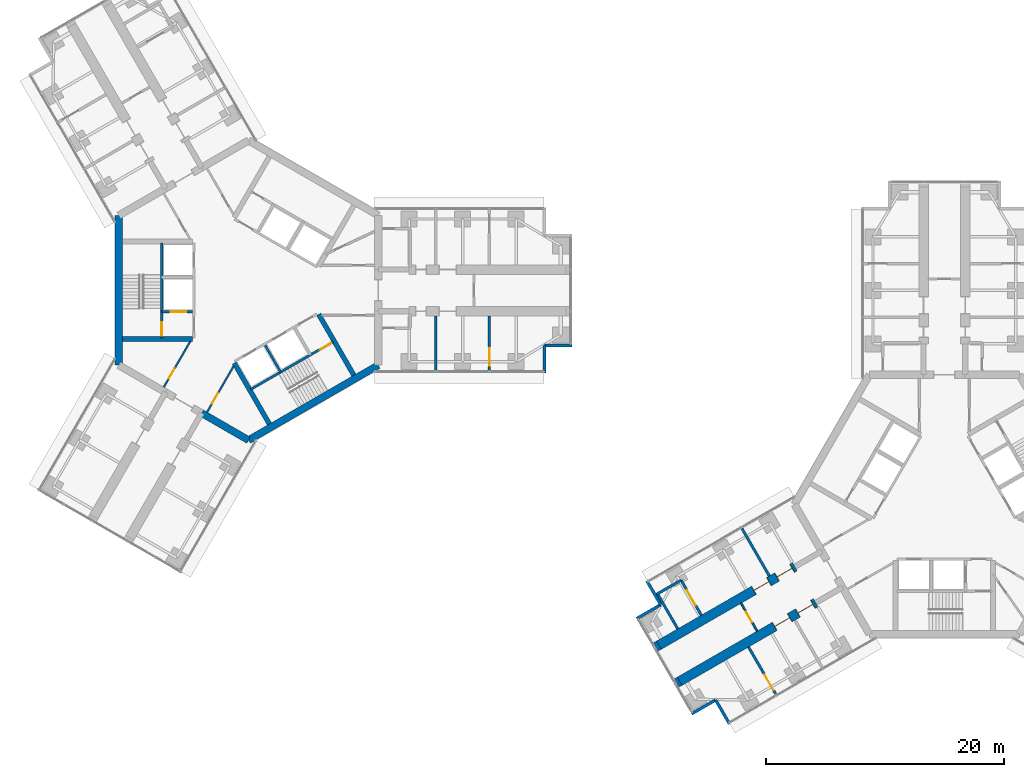
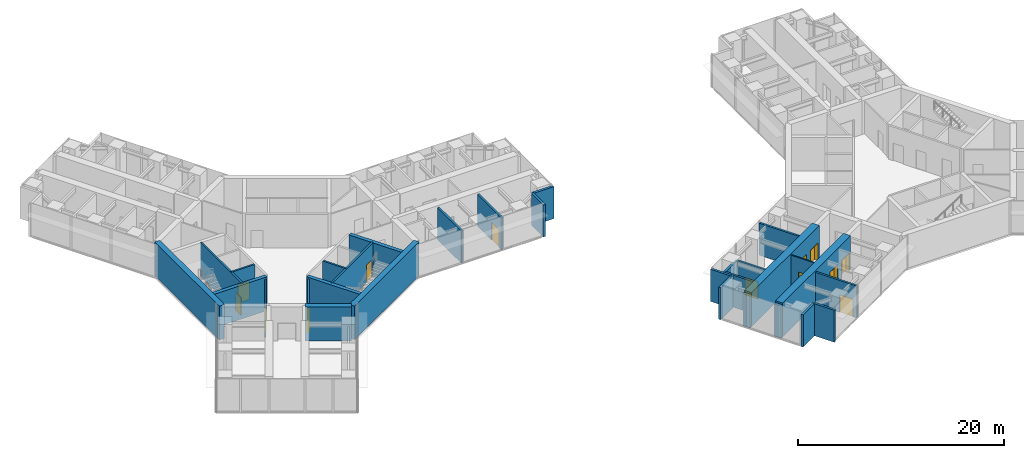
# One storey, part 15 of 21: 30 walls, 13 doors, 13 openings.
"""IFC4 building model written with IfcOpenShell, lengths in metres."""

from ifc_helpers import new_model, si_unit, direction, frame, frame_2d, origin, place, context, subcontext, project, spatial, rectangle, extrude, material, layer, layer_set, type_object, element, fill, save


model = new_model("IFC4")

# Units and contexts
model_context = context("Model", 3, precision=1e-05, world=origin(), true_north=direction((0.0, 1.0)))
body_context = subcontext(model_context, "Body", "Model", "MODEL_VIEW")
ifc_project = project(units=[si_unit("LENGTHUNIT", "METRE"), si_unit("AREAUNIT", "SQUARE_METRE"), si_unit("VOLUMEUNIT", "CUBIC_METRE"), si_unit("PLANEANGLEUNIT", "RADIAN"), si_unit("MASSUNIT", "GRAM", prefix="KILO")], contexts=[model_context])

# Site, building, storey
site_placement = place(None, origin())
site = spatial("IfcSite", under=ifc_project, at=site_placement, CompositionType="ELEMENT")
building_placement = place(site_placement, origin())
building = spatial("IfcBuilding", under=site, at=building_placement, Name="Upepo Twin Towers", CompositionType="ELEMENT")
storey_placement = place(building_placement, frame((0.0, 0.0, 117.5)))
storey = spatial("IfcBuildingStorey", under=building, at=storey_placement, Name="L28", CompositionType="ELEMENT", Elevation=117.5)

# Wall
ifc_material_1 = material(Name="Concrete blockwork, plastered both faces", Category="masonry")
ifc_layer_1 = layer(ifc_material_1, 0.215087890625)
ifc_layer_set_1 = layer_set([ifc_layer_1], Name="Blockwork partition 215")
wall_type_1 = type_object("IfcWallType", Name="Blockwork partition 215", PredefinedType="PARTITIONING", material=ifc_layer_set_1)
wall_1_placement = place(storey_placement, frame((15.75, -2.14990234375, 0.0), z_axis=(0.0, 0.0, 1.0), x_axis=(0.0, -1.0, 0.0)))
element("IfcWall", 1, at=wall_1_placement, inside=storey, type_object=wall_type_1, Name="T1 partition AR at 15.75", PredefinedType="PARTITIONING", context=body_context, shape_type="SweptSolid", body=[
    extrude(rectangle(XDim=4.60009765625, YDim=0.215087890625, at=frame_2d((2.300048828125, 0.0))), origin(), (0.0, 0.0, 1.0), 3.800048828125),
])

# Wall, opening, door
wall_2_placement = place(storey_placement, frame((20.25, -2.14990234375, 0.0), z_axis=(0.0, 0.0, 1.0), x_axis=(0.0, -1.0, 0.0)))
wall_2 = element("IfcWall", 2, at=wall_2_placement, inside=storey, type_object=wall_type_1, Name="T1 partition AR at 20.25", PredefinedType="PARTITIONING", context=body_context, shape_type="SweptSolid", body=[
    extrude(rectangle(XDim=4.60009765625, YDim=0.215087890625, at=frame_2d((2.300048828125, 0.0))), origin(), (0.0, 0.0, 1.0), 3.800048828125),
])
opening_1_placement = place(wall_2_placement, frame((2.699951171875, 0.0, 0.0)))
opening_1 = element("IfcOpeningElement", 3, at=opening_1_placement, cuts=wall_2, Name="Opening D13", PredefinedType="OPENING", context=body_context, shape_type="SweptSolid", body=[
    extrude(rectangle(XDim=1.5, YDim=2.10009765625, at=frame_2d((0.75, 1.050048828125))), frame((0.0, 0.117431640625, 0.0), z_axis=(0.0, -1.0, 0.0), x_axis=(1.0, 0.0, 0.0)), (0.0, 0.0, 1.0), 0.235107421875),
])
ifc_material_2 = material(Name="Timber doorset", Category="wood")
door_type_1 = type_object("IfcDoorType", Name="Double door 1500 FD30", OperationType="DOUBLE_DOOR_SINGLE_SWING", PredefinedType="DOOR", material=ifc_material_2)
door_1_placement = place(opening_1_placement, origin())
door_1 = element("IfcDoor", 4, at=door_1_placement, inside=storey, type_object=door_type_1, Name="T1 L28 connecting door", OperationType="DOUBLE_DOOR_SINGLE_SWING", OverallHeight=2.10009765625, OverallWidth=1.5, PredefinedType="DOOR", context=body_context, shape_type="SweptSolid", body=[
    extrude(rectangle(XDim=1.5, YDim=2.10009765625, at=frame_2d((0.75, 1.050048828125))), frame((0.0, 0.02490234375, 0.0), z_axis=(0.0, -1.0, 0.0), x_axis=(1.0, 0.0, 0.0)), (0.0, 0.0, 1.0), 0.050048828125),
])
fill(opening_1, door_1)

wall_3_placement = place(storey_placement, frame((42.0380859375, -29.987060546875, 0.0), z_axis=(0.0, 0.0, 1.0), x_axis=(0.499975146636, -0.866039752405, 0.0)))
wall_3 = element("IfcWall", 5, at=wall_3_placement, inside=storey, type_object=wall_type_1, Name="T2 partition BL at 20.25", PredefinedType="PARTITIONING", context=body_context, shape_type="SweptSolid", body=[
    extrude(rectangle(XDim=4.599853515625, YDim=0.215087890625, at=frame_2d((2.2998046875, 0.0))), origin(), (0.0, 0.0, 1.0), 3.800048828125),
])
opening_2_placement = place(wall_3_placement, frame((2.699951171875, 0.0, 0.0)))
opening_2 = element("IfcOpeningElement", 6, at=opening_2_placement, cuts=wall_3, Name="Opening D13", PredefinedType="OPENING", context=body_context, shape_type="SweptSolid", body=[
    extrude(rectangle(XDim=1.5, YDim=2.10009765625, at=frame_2d((0.75, 1.050048828125))), frame((0.0, 0.117431640625, 0.0), z_axis=(0.0, -1.0, 0.0), x_axis=(1.0, 0.0, 0.0)), (0.0, 0.0, 1.0), 0.235107421875),
])
door_2_placement = place(opening_2_placement, origin())
door_2 = element("IfcDoor", 7, at=door_2_placement, inside=storey, type_object=door_type_1, Name="T2 L28 connecting door", OperationType="DOUBLE_DOOR_SINGLE_SWING", OverallHeight=2.10009765625, OverallWidth=1.5, PredefinedType="DOOR", context=body_context, shape_type="SweptSolid", body=[
    extrude(rectangle(XDim=1.5, YDim=2.10009765625, at=frame_2d((0.75, 1.050048828125))), frame((0.0, 0.02490234375, 0.0), z_axis=(0.0, -1.0, 0.0), x_axis=(1.0, 0.0, 0.0)), (0.0, 0.0, 1.0), 0.050048828125),
])
fill(opening_2, door_2)

# Walls
wall_4_placement = place(storey_placement, frame((43.78515625, -24.012939453125, 0.0), z_axis=(0.0, 0.0, 1.0), x_axis=(-0.500014953309, 0.866016770315, 0.0)))
element("IfcWall", 8, at=wall_4_placement, inside=storey, type_object=wall_type_1, Name="T2 partition BR at 15.75", PredefinedType="PARTITIONING", context=body_context, shape_type="SweptSolid", body=[
    extrude(rectangle(XDim=4.599853515625, YDim=0.215087890625, at=frame_2d((2.2998046875, 0.0))), origin(), (0.0, 0.0, 1.0), 3.800048828125),
])
wall_5_placement = place(storey_placement, frame((36.369384765625, -24.36865234375, 0.0), z_axis=(0.0, 0.0, 1.0), x_axis=(-0.866050077142, -0.499957262057, 0.0)))
element("IfcWall", 9, at=wall_5_placement, inside=storey, type_object=wall_type_1, Name="T2 inner room partition BR at 22.35", PredefinedType="PARTITIONING", context=body_context, shape_type="SweptSolid", body=[
    extrude(rectangle(XDim=2.400146484375, YDim=0.215087890625, at=frame_2d((1.2001953125, 0.0))), origin(), (0.0, 0.0, 1.0), 3.800048828125),
])

# Wall, opening, door
wall_6_placement = place(storey_placement, frame((38.0693359375, -27.31298828125, 0.0), z_axis=(0.0, 0.0, 1.0), x_axis=(-0.500008388397, 0.866020560687, 0.0)))
wall_6 = element("IfcWall", 10, at=wall_6_placement, inside=storey, type_object=wall_type_1, Name="T2 inner room partition BR end at 22.35", PredefinedType="PARTITIONING", context=body_context, shape_type="SweptSolid", body=[
    extrude(rectangle(XDim=3.39990234375, YDim=0.215087890625, at=frame_2d((1.699951171875, 0.0))), origin(), (0.0, 0.0, 1.0), 3.800048828125),
])
opening_3_placement = place(wall_6_placement, frame((0.949951171875, 0.0, 0.0)))
opening_3 = element("IfcOpeningElement", 11, at=opening_3_placement, cuts=wall_6, Name="Opening D13", PredefinedType="OPENING", context=body_context, shape_type="SweptSolid", body=[
    extrude(rectangle(XDim=1.5, YDim=2.10009765625, at=frame_2d((0.75, 1.050048828125))), frame((0.0, 0.117431640625, 0.0), z_axis=(0.0, -1.0, 0.0), x_axis=(1.0, 0.0, 0.0)), (0.0, 0.0, 1.0), 0.235107421875),
])
door_3_placement = place(opening_3_placement, origin())
door_3 = element("IfcDoor", 12, at=door_3_placement, inside=storey, type_object=door_type_1, Name="T2 L28 inner room door", OperationType="DOUBLE_DOOR_SINGLE_SWING", OverallHeight=2.10009765625, OverallWidth=1.5, PredefinedType="DOOR", context=body_context, shape_type="SweptSolid", body=[
    extrude(rectangle(XDim=1.5, YDim=2.10009765625, at=frame_2d((0.75, 1.050048828125))), frame((0.0, 0.02490234375, 0.0), z_axis=(0.0, -1.0, 0.0), x_axis=(1.0, 0.0, 0.0)), (0.0, 0.0, 1.0), 0.050048828125),
])
fill(opening_3, door_3)

# Walls
wall_7_placement = place(storey_placement, frame((36.083984375, -28.459228515625, 0.0), z_axis=(0.0, 0.0, 1.0), x_axis=(-0.500008388397, 0.866020560687, 0.0)))
element("IfcWall", 13, at=wall_7_placement, inside=storey, type_object=wall_type_1, Name="T2 inner room partition BR end at 24.75", PredefinedType="PARTITIONING", context=body_context, shape_type="SweptSolid", body=[
    extrude(rectangle(XDim=3.39990234375, YDim=0.215087890625, at=frame_2d((1.699951171875, 0.0))), origin(), (0.0, 0.0, 1.0), 3.800048828125),
])
ifc_material_3 = material(Name="Dense concrete blockwork", Category="masonry")
ifc_layer_2 = layer(ifc_material_3, 0.800048828125)
ifc_layer_set_2 = layer_set([ifc_layer_2], Name="Buttress closer 800, blockwork with fire-stopping to the curtain wall")
wall_type_2 = type_object("IfcWallType", Name="Buttress closer 800, blockwork with fire-stopping to the curtain wall", PredefinedType="PARTITIONING", material=ifc_layer_set_2)
wall_8_placement = place(storey_placement, frame((36.252197265625, -32.865478515625, 0.0), z_axis=(0.0, 0.0, 1.0), x_axis=(-0.865778900179, -0.500426713919, 0.0)))
element("IfcWall", 14, at=wall_8_placement, inside=storey, type_object=wall_type_2, Name="T2 L28 wing B buttress closer L", PredefinedType="PARTITIONING", context=body_context, shape_type="SweptSolid", body=[
    extrude(rectangle(XDim=0.300048828125, YDim=0.800048828125, at=frame_2d((0.14990234375, 0.0))), origin(), (0.0, 0.0, 1.0), 3.800048828125),
])
wall_9_placement = place(storey_placement, frame((34.502197265625, -29.83447265625, 0.0), z_axis=(0.0, 0.0, 1.0), x_axis=(-0.866131372301, -0.499816412211, 0.0)))
element("IfcWall", 15, at=wall_9_placement, inside=storey, type_object=wall_type_2, Name="T2 L28 wing B buttress closer R", PredefinedType="PARTITIONING", context=body_context, shape_type="SweptSolid", body=[
    extrude(rectangle(XDim=0.2998046875, YDim=0.800048828125, at=frame_2d((0.14990234375, 0.0))), origin(), (0.0, 0.0, 1.0), 3.800048828125),
])

# Wall, openings, doors
ifc_material_4 = material(Name="Concrete C60/75", Category="concrete")
ifc_layer_3 = layer(ifc_material_4, 0.800048828125)
ifc_layer_set_3 = layer_set([ifc_layer_3], Name="Concrete C60/75")
wall_type_3 = type_object("IfcWallType", Name="Buttress wall 800 RC", PredefinedType="SHEAR", material=ifc_layer_set_3)
wall_10_placement = place(storey_placement, frame((47.68359375, -26.265625, 0.0), z_axis=(0.0, 0.0, 1.0), x_axis=(-0.866027579429, -0.499996231654, 0.0)))
wall_10 = element("IfcWall", 16, at=wall_10_placement, inside=storey, type_object=wall_type_3, Name="T2 wing B buttress wall L part 2", PredefinedType="SHEAR", context=body_context, shape_type="SweptSolid", body=[
    extrude(rectangle(XDim=13.19970703125, YDim=0.800048828125, at=frame_2d((6.599853515625, 0.0))), origin(), (0.0, 0.0, 1.0), 4.0),
])
opening_4_placement = place(wall_10_placement, frame((0.25, 0.0, 0.0)))
opening_4 = element("IfcOpeningElement", 17, at=opening_4_placement, cuts=wall_10, Name="Opening D13", PredefinedType="OPENING", context=body_context, shape_type="SweptSolid", body=[
    extrude(rectangle(XDim=1.5, YDim=2.10009765625, at=frame_2d((0.75, 1.050048828125))), frame((0.0, 0.409912109375, 0.0), z_axis=(0.0, -1.0, 0.0), x_axis=(1.0, 0.0, 0.0)), (0.0, 0.0, 1.0), 0.820068359375),
])
opening_5_placement = place(wall_10_placement, frame((2.5, 0.0, 0.0)))
opening_5 = element("IfcOpeningElement", 18, at=opening_5_placement, cuts=wall_10, Name="Opening D13", PredefinedType="OPENING", context=body_context, shape_type="SweptSolid", body=[
    extrude(rectangle(XDim=1.5, YDim=2.10009765625, at=frame_2d((0.75, 1.050048828125))), frame((0.0, 0.409912109375, 0.0), z_axis=(0.0, -1.0, 0.0), x_axis=(1.0, 0.0, 0.0)), (0.0, 0.0, 1.0), 0.820068359375),
])
door_4_placement = place(opening_4_placement, origin())
door_4 = element("IfcDoor", 19, at=door_4_placement, inside=storey, type_object=door_type_1, Name="T2 L28 tutorial room door", OperationType="DOUBLE_DOOR_SINGLE_SWING", OverallHeight=2.10009765625, OverallWidth=1.5, PredefinedType="DOOR", context=body_context, shape_type="SweptSolid", body=[
    extrude(rectangle(XDim=1.42, YDim=2.06009765625, at=frame_2d((0.75, 1.030029296875))), frame((0.0, 0.02490234375, 0.0), z_axis=(0.0, -1.0, 0.0), x_axis=(1.0, 0.0, 0.0)), (0.0, 0.0, 1.0), 0.050048828125),
    extrude(rectangle(XDim=0.04, YDim=2.10009765625, at=frame_2d((0.02001953125, 1.050048828125))), frame((0.0, 0.39990234375, 0.0), z_axis=(0.0, -1.0, 0.0), x_axis=(1.0, 0.0, 0.0)), (0.0, 0.0, 1.0), 0.799560546875),
    extrude(rectangle(XDim=0.04, YDim=2.10009765625, at=frame_2d((1.47998046875, 1.050048828125))), frame((0.0, 0.39990234375, 0.0), z_axis=(0.0, -1.0, 0.0), x_axis=(1.0, 0.0, 0.0)), (0.0, 0.0, 1.0), 0.799560546875),
    extrude(rectangle(XDim=1.42, YDim=0.04, at=frame_2d((0.75, 2.080078125))), frame((0.0, 0.39990234375, 0.0), z_axis=(0.0, -1.0, 0.0), x_axis=(1.0, 0.0, 0.0)), (0.0, 0.0, 1.0), 0.799560546875),
])
fill(opening_4, door_4)
door_5_placement = place(opening_5_placement, origin())
door_5 = element("IfcDoor", 20, at=door_5_placement, inside=storey, type_object=door_type_1, Name="T2 L28 seminar room door", OperationType="DOUBLE_DOOR_SINGLE_SWING", OverallHeight=2.10009765625, OverallWidth=1.5, PredefinedType="DOOR", context=body_context, shape_type="SweptSolid", body=[
    extrude(rectangle(XDim=1.42, YDim=2.06009765625, at=frame_2d((0.75, 1.030029296875))), frame((0.0, 0.02490234375, 0.0), z_axis=(0.0, -1.0, 0.0), x_axis=(1.0, 0.0, 0.0)), (0.0, 0.0, 1.0), 0.050048828125),
    extrude(rectangle(XDim=0.04, YDim=2.10009765625, at=frame_2d((0.02001953125, 1.050048828125))), frame((0.0, 0.39990234375, 0.0), z_axis=(0.0, -1.0, 0.0), x_axis=(1.0, 0.0, 0.0)), (0.0, 0.0, 1.0), 0.799560546875),
    extrude(rectangle(XDim=0.04, YDim=2.10009765625, at=frame_2d((1.47998046875, 1.050048828125))), frame((0.0, 0.39990234375, 0.0), z_axis=(0.0, -1.0, 0.0), x_axis=(1.0, 0.0, 0.0)), (0.0, 0.0, 1.0), 0.799560546875),
    extrude(rectangle(XDim=1.42, YDim=0.04, at=frame_2d((0.75, 2.080078125))), frame((0.0, 0.39990234375, 0.0), z_axis=(0.0, -1.0, 0.0), x_axis=(1.0, 0.0, 0.0)), (0.0, 0.0, 1.0), 0.799560546875),
])
fill(opening_5, door_5)

wall_11_placement = place(storey_placement, frame((45.93359375, -23.234375, 0.0), z_axis=(0.0, 0.0, 1.0), x_axis=(-0.866019570528, -0.500010103361, 0.0)))
wall_11 = element("IfcWall", 21, at=wall_11_placement, inside=storey, type_object=wall_type_3, Name="T2 wing B buttress wall R part 2", PredefinedType="SHEAR", context=body_context, shape_type="SweptSolid", body=[
    extrude(rectangle(XDim=13.199951171875, YDim=0.800048828125, at=frame_2d((6.60009765625, 0.0))), origin(), (0.0, 0.0, 1.0), 4.0),
])
opening_6_placement = place(wall_11_placement, frame((0.25, 0.0, 0.0)))
opening_6 = element("IfcOpeningElement", 22, at=opening_6_placement, cuts=wall_11, Name="Opening D13", PredefinedType="OPENING", context=body_context, shape_type="SweptSolid", body=[
    extrude(rectangle(XDim=1.5, YDim=2.10009765625, at=frame_2d((0.75, 1.050048828125))), frame((0.0, 0.409912109375, 0.0), z_axis=(0.0, -1.0, 0.0), x_axis=(1.0, 0.0, 0.0)), (0.0, 0.0, 1.0), 0.820068359375),
])
opening_7_placement = place(wall_11_placement, frame((2.5, 0.0, 0.0)))
opening_7 = element("IfcOpeningElement", 23, at=opening_7_placement, cuts=wall_11, Name="Opening D13", PredefinedType="OPENING", context=body_context, shape_type="SweptSolid", body=[
    extrude(rectangle(XDim=1.5, YDim=2.10009765625, at=frame_2d((0.75, 1.050048828125))), frame((0.0, 0.409912109375, 0.0), z_axis=(0.0, -1.0, 0.0), x_axis=(1.0, 0.0, 0.0)), (0.0, 0.0, 1.0), 0.820068359375),
])
door_6_placement = place(opening_6_placement, origin())
door_6 = element("IfcDoor", 24, at=door_6_placement, inside=storey, type_object=door_type_1, Name="T2 L28 tutorial room door", OperationType="DOUBLE_DOOR_SINGLE_SWING", OverallHeight=2.10009765625, OverallWidth=1.5, PredefinedType="DOOR", context=body_context, shape_type="SweptSolid", body=[
    extrude(rectangle(XDim=1.42, YDim=2.06009765625, at=frame_2d((0.75, 1.030029296875))), frame((0.0, 0.02490234375, 0.0), z_axis=(0.0, -1.0, 0.0), x_axis=(1.0, 0.0, 0.0)), (0.0, 0.0, 1.0), 0.050048828125),
    extrude(rectangle(XDim=0.04, YDim=2.10009765625, at=frame_2d((0.02001953125, 1.050048828125))), frame((0.0, 0.39990234375, 0.0), z_axis=(0.0, -1.0, 0.0), x_axis=(1.0, 0.0, 0.0)), (0.0, 0.0, 1.0), 0.799560546875),
    extrude(rectangle(XDim=0.04, YDim=2.10009765625, at=frame_2d((1.47998046875, 1.050048828125))), frame((0.0, 0.39990234375, 0.0), z_axis=(0.0, -1.0, 0.0), x_axis=(1.0, 0.0, 0.0)), (0.0, 0.0, 1.0), 0.799560546875),
    extrude(rectangle(XDim=1.42, YDim=0.04, at=frame_2d((0.75, 2.080078125))), frame((0.0, 0.39990234375, 0.0), z_axis=(0.0, -1.0, 0.0), x_axis=(1.0, 0.0, 0.0)), (0.0, 0.0, 1.0), 0.799560546875),
])
fill(opening_6, door_6)
door_7_placement = place(opening_7_placement, origin())
door_7 = element("IfcDoor", 25, at=door_7_placement, inside=storey, type_object=door_type_1, Name="T2 L28 moot court door", OperationType="DOUBLE_DOOR_SINGLE_SWING", OverallHeight=2.10009765625, OverallWidth=1.5, PredefinedType="DOOR", context=body_context, shape_type="SweptSolid", body=[
    extrude(rectangle(XDim=1.42, YDim=2.06009765625, at=frame_2d((0.75, 1.030029296875))), frame((0.0, 0.02490234375, 0.0), z_axis=(0.0, -1.0, 0.0), x_axis=(1.0, 0.0, 0.0)), (0.0, 0.0, 1.0), 0.050048828125),
    extrude(rectangle(XDim=0.04, YDim=2.10009765625, at=frame_2d((0.02001953125, 1.050048828125))), frame((0.0, 0.39990234375, 0.0), z_axis=(0.0, -1.0, 0.0), x_axis=(1.0, 0.0, 0.0)), (0.0, 0.0, 1.0), 0.799560546875),
    extrude(rectangle(XDim=0.04, YDim=2.10009765625, at=frame_2d((1.47998046875, 1.050048828125))), frame((0.0, 0.39990234375, 0.0), z_axis=(0.0, -1.0, 0.0), x_axis=(1.0, 0.0, 0.0)), (0.0, 0.0, 1.0), 0.799560546875),
    extrude(rectangle(XDim=1.42, YDim=0.04, at=frame_2d((0.75, 2.080078125))), frame((0.0, 0.39990234375, 0.0), z_axis=(0.0, -1.0, 0.0), x_axis=(1.0, 0.0, 0.0)), (0.0, 0.0, 1.0), 0.799560546875),
])
fill(opening_7, door_7)

# Walls
ifc_material_5 = material(Name="Concrete C60/75", Category="concrete")
ifc_layer_4 = layer(ifc_material_5, 0.60009765625)
ifc_layer_set_4 = layer_set([ifc_layer_4], Name="Concrete C60/75")
wall_type_4 = type_object("IfcWallType", Name="Core wall 600 RC", PredefinedType="SHEAR", material=ifc_layer_set_4)
wall_12_placement = place(storey_placement, frame((-10.908447265625, 6.2978515625, 0.0), z_axis=(0.0, 0.0, 1.0), x_axis=(0.0, -1.0, 0.0)))
element("IfcWall", 26, at=wall_12_placement, inside=storey, type_object=wall_type_4, Name="T1 core wall 180", PredefinedType="SHEAR", context=body_context, shape_type="SweptSolid", body=[
    extrude(rectangle(XDim=12.595703125, YDim=0.60009765625, at=frame_2d((6.2978515625, 0.0))), origin(), (0.0, 0.0, 1.0), 4.0),
])
wall_13_placement = place(storey_placement, frame((-3.938720703125, -10.32177734375, 0.0), z_axis=(0.0, 0.0, 1.0), x_axis=(0.866011268655, -0.500024481964, 0.0)))
element("IfcWall", 27, at=wall_13_placement, inside=storey, type_object=wall_type_4, Name="T1 core wall 240 L", PredefinedType="SHEAR", context=body_context, shape_type="SweptSolid", body=[
    extrude(rectangle(XDim=4.548095703125, YDim=0.60009765625, at=frame_2d((2.27392578125, 0.0))), origin(), (0.0, 0.0, 1.0), 4.0),
])
wall_14_placement = place(storey_placement, frame((0.0, -12.595947265625, 0.0), z_axis=(0.0, 0.0, 1.0), x_axis=(0.866021940709, 0.500005998175, 0.0)))
element("IfcWall", 28, at=wall_14_placement, inside=storey, type_object=wall_type_4, Name="T1 core wall 300", PredefinedType="SHEAR", context=body_context, shape_type="SweptSolid", body=[
    extrude(rectangle(XDim=12.595947265625, YDim=0.60009765625, at=frame_2d((6.2978515625, 0.0))), origin(), (0.0, 0.0, 1.0), 4.0),
])
ifc_material_6 = material(Name="Blockwork with anodised aluminium cladding", Category="masonry")
ifc_layer_5 = layer(ifc_material_6, 0.25)
ifc_layer_set_5 = layer_set([ifc_layer_5], Name="Notch cladding wall 250, pale metal")
wall_type_5 = type_object("IfcWallType", Name="Notch cladding wall 250, pale metal", PredefinedType="STANDARD", material=ifc_layer_set_5)
for number, where, z_axis, x_axis, name in (
    (29, (24.875, -6.949951171875, 0.0), (0.0, 0.0, 1.0), (0.0, 1.0, 0.0), "T1 L28 wing A notch wall R1"),
    (30, (24.875, -4.625, 0.0), (0.0, 0.0, 1.0), (1.0, 0.0, 0.0), "T1 L28 wing A notch wall R2"),
    (31, (40.4326171875, -36.456298828125, 0.0), (0.0, 0.0, 1.0), (-0.500046648681, 0.865998469481, 0.0), "T2 L28 wing B notch wall L1"),
    (32, (39.27001953125, -34.44287109375, 0.0), (0.0, 0.0, 1.0), (-0.865998469481, -0.500046648681, 0.0), "T2 L28 wing B notch wall L2"),
    (33, (33.482666015625, -24.418701171875, 0.0), (0.0, 0.0, 1.0), (0.499967891604, -0.866043940782, 0.0), "T2 L28 wing B notch wall R1"),
    (34, (34.64501953125, -26.43212890625, 0.0), (0.0, 0.0, 1.0), (-0.865998469481, -0.500046648681, 0.0), "T2 L28 wing B notch wall R2"),
):
    element("IfcWall", number, at=place(storey_placement, frame(where, z_axis=z_axis, x_axis=x_axis)), inside=storey, type_object=wall_type_5, Name=name, PredefinedType="STANDARD", context=body_context, shape_type="SweptSolid", body=[
        extrude(rectangle(XDim=2.324951171875, YDim=0.25, at=frame_2d((1.16259765625, 0.0))), origin(), (0.0, 0.0, 1.0), 3.800048828125),
    ])

# Wall, opening, door
ifc_material_7 = material(Name="Concrete C40/50", Category="concrete")
ifc_layer_6 = layer(ifc_material_7, 0.199951171875)
ifc_layer_set_6 = layer_set([ifc_layer_6], Name="Concrete C40/50")
wall_type_6 = type_object("IfcWallType", Name="Shaft wall 200 RC", PredefinedType="SHEAR", material=ifc_layer_set_6)
wall_15_placement = place(storey_placement, frame((-4.699951171875, -1.800048828125, 0.0), z_axis=(0.0, 0.0, 1.0), x_axis=(-1.0, 0.0, 0.0)))
wall_15 = element("IfcWall", 35, at=wall_15_placement, inside=storey, type_object=wall_type_6, Name="T1 core W180 lobby wall", PredefinedType="SHEAR", context=body_context, shape_type="SweptSolid", body=[
    extrude(rectangle(XDim=2.60009765625, YDim=0.199951171875, at=frame_2d((1.300048828125, 0.0))), origin(), (0.0, 0.0, 1.0), 4.0),
])
opening_8_placement = place(wall_15_placement, frame((0.550048828125, 0.0, 0.0)))
opening_8 = element("IfcOpeningElement", 36, at=opening_8_placement, cuts=wall_15, Name="Opening LD2", PredefinedType="OPENING", context=body_context, shape_type="SweptSolid", body=[
    extrude(rectangle(XDim=1.300048828125, YDim=2.199951171875, at=frame_2d((0.64990234375, 1.10009765625))), frame((0.0, 0.10986328125, 0.0), z_axis=(0.0, -1.0, 0.0), x_axis=(1.0, 0.0, 0.0)), (0.0, 0.0, 1.0), 0.219970703125),
])
ifc_material_8 = material(Name="Steel doorset", Category="steel")
door_type_2 = type_object("IfcDoorType", Name="Firefighting lift landing door 1300", OperationType="DOUBLE_DOOR_SLIDING", PredefinedType="DOOR", material=ifc_material_8)
door_8_placement = place(opening_8_placement, origin())
door_8 = element("IfcDoor", 37, at=door_8_placement, inside=storey, type_object=door_type_2, Name="T1 L28 firefighting lift landing door", OperationType="DOUBLE_DOOR_SLIDING", OverallHeight=2.199951171875, OverallWidth=1.300048828125, PredefinedType="DOOR", context=body_context, shape_type="SweptSolid", body=[
    extrude(rectangle(XDim=1.300048828125, YDim=2.199951171875, at=frame_2d((0.64990234375, 1.10009765625))), frame((0.0, 0.02490234375, 0.0), z_axis=(0.0, -1.0, 0.0), x_axis=(1.0, 0.0, 0.0)), (0.0, 0.0, 1.0), 0.050048828125),
])
fill(opening_8, door_8)

wall_16_placement = place(storey_placement, frame((-7.300048828125, 4.0, 0.0), z_axis=(0.0, 0.0, 1.0), x_axis=(0.0, -1.0, 0.0)))
wall_16 = element("IfcWall", 38, at=wall_16_placement, inside=storey, type_object=wall_type_6, Name="T1 core W180 stair wall", PredefinedType="SHEAR", context=body_context, shape_type="SweptSolid", body=[
    extrude(rectangle(XDim=8.0, YDim=0.199951171875, at=frame_2d((4.0, 0.0))), origin(), (0.0, 0.0, 1.0), 4.0),
])
opening_9_placement = place(wall_16_placement, frame((6.699951171875, 0.0, 0.0)))
opening_9 = element("IfcOpeningElement", 39, at=opening_9_placement, cuts=wall_16, Name="Opening D3", PredefinedType="OPENING", context=body_context, shape_type="SweptSolid", body=[
    extrude(rectangle(XDim=1.10009765625, YDim=2.10009765625, at=frame_2d((0.550048828125, 1.050048828125))), frame((0.0, 0.10986328125, 0.0), z_axis=(0.0, -1.0, 0.0), x_axis=(1.0, 0.0, 0.0)), (0.0, 0.0, 1.0), 0.219970703125),
])
ifc_material_9 = material(Name="Timber doorset", Category="wood")
door_type_3 = type_object("IfcDoorType", Name="Stair door 1100 FD60", OperationType="SINGLE_SWING_LEFT", PredefinedType="DOOR", material=ifc_material_9)
door_9_placement = place(opening_9_placement, origin())
door_9 = element("IfcDoor", 40, at=door_9_placement, inside=storey, type_object=door_type_3, Name="T1 L28 stair door", OperationType="SINGLE_SWING_RIGHT", OverallHeight=2.10009765625, OverallWidth=1.10009765625, PredefinedType="DOOR", context=body_context, shape_type="SweptSolid", body=[
    extrude(rectangle(XDim=1.10009765625, YDim=2.10009765625, at=frame_2d((0.550048828125, 1.050048828125))), frame((0.0, 0.02490234375, 0.0), z_axis=(0.0, -1.0, 0.0), x_axis=(1.0, 0.0, 0.0)), (0.0, 0.0, 1.0), 0.050048828125),
])
fill(opening_9, door_9)

# Wall
wall_17_placement = place(storey_placement, frame((1.3974609375, -4.620361328125, 0.0), z_axis=(0.0, 0.0, 1.0), x_axis=(0.499936506574, -0.866062058628, 0.0)))
element("IfcWall", 41, at=wall_17_placement, inside=storey, type_object=wall_type_6, Name="T1 core W300 shaft divider", PredefinedType="SHEAR", context=body_context, shape_type="SweptSolid", body=[
    extrude(rectangle(XDim=2.599853515625, YDim=0.199951171875, at=frame_2d((1.2998046875, 0.0))), origin(), (0.0, 0.0, 1.0), 4.0),
])

# Wall, opening, door
wall_18_placement = place(storey_placement, frame((0.185791015625, -8.322021484375, 0.0), z_axis=(0.0, 0.0, 1.0), x_axis=(0.866026010844, 0.49999894854, 0.0)))
wall_18 = element("IfcWall", 42, at=wall_18_placement, inside=storey, type_object=wall_type_6, Name="T1 core W300 stair wall", PredefinedType="SHEAR", context=body_context, shape_type="SweptSolid", body=[
    extrude(rectangle(XDim=8.0, YDim=0.199951171875, at=frame_2d((4.0, 0.0))), origin(), (0.0, 0.0, 1.0), 4.0),
])
opening_10_placement = place(wall_18_placement, frame((6.699951171875, 0.0, 0.0)))
opening_10 = element("IfcOpeningElement", 43, at=opening_10_placement, cuts=wall_18, Name="Opening D3", PredefinedType="OPENING", context=body_context, shape_type="SweptSolid", body=[
    extrude(rectangle(XDim=1.10009765625, YDim=2.10009765625, at=frame_2d((0.550048828125, 1.050048828125))), frame((0.0, 0.10986328125, 0.0), z_axis=(0.0, -1.0, 0.0), x_axis=(1.0, 0.0, 0.0)), (0.0, 0.0, 1.0), 0.219970703125),
])
door_10_placement = place(opening_10_placement, origin())
door_10 = element("IfcDoor", 44, at=door_10_placement, inside=storey, type_object=door_type_3, Name="T1 L28 stair door", OperationType="SINGLE_SWING_RIGHT", OverallHeight=2.10009765625, OverallWidth=1.10009765625, PredefinedType="DOOR", context=body_context, shape_type="SweptSolid", body=[
    extrude(rectangle(XDim=1.10009765625, YDim=2.10009765625, at=frame_2d((0.550048828125, 1.050048828125))), frame((0.0, 0.02490234375, 0.0), z_axis=(0.0, -1.0, 0.0), x_axis=(1.0, 0.0, 0.0)), (0.0, 0.0, 1.0), 0.050048828125),
])
fill(opening_10, door_10)

# Walls
ifc_material_10 = material(Name="Concrete C40/50", Category="concrete")
ifc_layer_7 = layer(ifc_material_10, 0.39990234375)
ifc_layer_set_7 = layer_set([ifc_layer_7], Name="Concrete C40/50")
wall_type_7 = type_object("IfcWallType", Name="Shaft wall 400 RC", PredefinedType="SHEAR", material=ifc_layer_set_7)
for number, where, z_axis, x_axis, name in (
    (45, (-4.699951171875, -4.10009765625, 0.0), (0.0, 0.0, 1.0), (-1.0, 0.0, 0.0), "T1 core W180 side wall N"),
    (46, (5.900634765625, -2.020263671875, 0.0), (0.0, 0.0, 1.0), (0.500027676417, -0.866009424208, 0.0), "T1 core W300 side wall N"),
):
    element("IfcWall", number, at=place(storey_placement, frame(where, z_axis=z_axis, x_axis=x_axis)), inside=storey, type_object=wall_type_7, Name=name, PredefinedType="SHEAR", context=body_context, shape_type="SweptSolid", body=[
        extrude(rectangle(XDim=5.908447265625, YDim=0.39990234375, at=frame_2d((2.9541015625, 0.0))), origin(), (0.0, 0.0, 1.0), 4.0),
    ])
wall_19_placement = place(storey_placement, frame((-1.20068359375, -6.120361328125, 0.0), z_axis=(0.0, 0.0, 1.0), x_axis=(0.49999668571, -0.866027317282, 0.0)))
element("IfcWall", 47, at=wall_19_placement, inside=storey, type_object=wall_type_7, Name="T1 core W300 side wall S", PredefinedType="SHEAR", context=body_context, shape_type="SweptSolid", body=[
    extrude(rectangle(XDim=5.908203125, YDim=0.39990234375, at=frame_2d((2.9541015625, 0.0))), origin(), (0.0, 0.0, 1.0), 4.0),
])

# Wall, opening, door
ifc_material_11 = material(Name="Gypsum board on steel studs", Category="steel")
ifc_layer_8 = layer(ifc_material_11, 0.14990234375)
ifc_layer_set_8 = layer_set([ifc_layer_8], Name="Teaching partition 150 acoustic")
wall_type_8 = type_object("IfcWallType", Name="Teaching partition 150 acoustic", PredefinedType="PARTITIONING", material=ifc_layer_set_8)
wall_20_placement = place(storey_placement, frame((-1.252685546875, -6.36962890625, 0.0), z_axis=(0.0, 0.0, 1.0), x_axis=(-0.499999473313, -0.866025707867, 0.0)))
wall_20 = element("IfcWall", 48, at=wall_20_placement, inside=storey, type_object=wall_type_8, Name="T1 core room partition 1", PredefinedType="PARTITIONING", context=body_context, shape_type="SweptSolid", body=[
    extrude(rectangle(XDim=4.4755859375, YDim=0.14990234375, at=frame_2d((2.23779296875, 0.0))), origin(), (0.0, 0.0, 1.0), 3.800048828125),
])
opening_11_placement = place(wall_20_placement, frame((2.633056640625, 0.0, 0.0)))
opening_11 = element("IfcOpeningElement", 49, at=opening_11_placement, cuts=wall_20, Name="Opening D1", PredefinedType="OPENING", context=body_context, shape_type="SweptSolid", body=[
    extrude(rectangle(XDim=1.0, YDim=2.10009765625, at=frame_2d((0.5, 1.050048828125))), frame((0.0, 0.0849609375, 0.0), z_axis=(0.0, -1.0, 0.0), x_axis=(1.0, 0.0, 0.0)), (0.0, 0.0, 1.0), 0.169921875),
])
ifc_material_12 = material(Name="Timber doorset", Category="wood")
door_type_4 = type_object("IfcDoorType", Name="Room door 1000 FD30", OperationType="SINGLE_SWING_LEFT", PredefinedType="DOOR", material=ifc_material_12)
door_11_placement = place(opening_11_placement, origin())
door_11 = element("IfcDoor", 50, at=door_11_placement, inside=storey, type_object=door_type_4, Name="T1 L28 core room door K2", OperationType="SINGLE_SWING_RIGHT", OverallHeight=2.10009765625, OverallWidth=1.0, PredefinedType="DOOR", context=body_context, shape_type="SweptSolid", body=[
    extrude(rectangle(XDim=1.0, YDim=2.10009765625, at=frame_2d((0.5, 1.050048828125))), frame((0.0, 0.02490234375, 0.0), z_axis=(0.0, -1.0, 0.0), x_axis=(1.0, 0.0, 0.0)), (0.0, 0.0, 1.0), 0.050048828125),
])
fill(opening_11, door_11)

wall_21_placement = place(storey_placement, frame((-7.127685546875, -8.145751953125, 0.0), z_axis=(0.0, 0.0, 1.0), x_axis=(0.499999473313, 0.866025707867, 0.0)))
wall_21 = element("IfcWall", 51, at=wall_21_placement, inside=storey, type_object=wall_type_8, Name="T1 core room partition 2", PredefinedType="PARTITIONING", context=body_context, shape_type="SweptSolid", body=[
    extrude(rectangle(XDim=4.4755859375, YDim=0.14990234375, at=frame_2d((2.23779296875, 0.0))), origin(), (0.0, 0.0, 1.0), 3.800048828125),
])
opening_12_placement = place(wall_21_placement, frame((0.8427734375, 0.0, 0.0)))
opening_12 = element("IfcOpeningElement", 52, at=opening_12_placement, cuts=wall_21, Name="Opening D1", PredefinedType="OPENING", context=body_context, shape_type="SweptSolid", body=[
    extrude(rectangle(XDim=1.0, YDim=2.10009765625, at=frame_2d((0.5, 1.050048828125))), frame((0.0, 0.0849609375, 0.0), z_axis=(0.0, -1.0, 0.0), x_axis=(1.0, 0.0, 0.0)), (0.0, 0.0, 1.0), 0.169921875),
])
door_12_placement = place(opening_12_placement, origin())
door_12 = element("IfcDoor", 53, at=door_12_placement, inside=storey, type_object=door_type_4, Name="T1 L28 core room door K1", OperationType="SINGLE_SWING_LEFT", OverallHeight=2.10009765625, OverallWidth=1.0, PredefinedType="DOOR", context=body_context, shape_type="SweptSolid", body=[
    extrude(rectangle(XDim=1.0, YDim=2.10009765625, at=frame_2d((0.5, 1.050048828125))), frame((0.0, 0.02490234375, 0.0), z_axis=(0.0, -1.0, 0.0), x_axis=(1.0, 0.0, 0.0)), (0.0, 0.0, 1.0), 0.050048828125),
])
fill(opening_12, door_12)

wall_22_placement = place(storey_placement, frame((41.413818359375, -26.305908203125, 0.0), z_axis=(0.0, 0.0, 1.0), x_axis=(0.500048589285, -0.86599734893, 0.0)))
wall_22 = element("IfcWall", 54, at=wall_22_placement, inside=storey, type_object=wall_type_8, Name="T2 corridor end partition B at 18.95", PredefinedType="PARTITIONING", context=body_context, shape_type="SweptSolid", body=[
    extrude(rectangle(XDim=2.699951171875, YDim=0.14990234375, at=frame_2d((1.35009765625, 0.0))), origin(), (0.0, 0.0, 1.0), 3.800048828125),
])
opening_13_placement = place(wall_22_placement, frame((0.85009765625, 0.0, 0.0)))
opening_13 = element("IfcOpeningElement", 55, at=opening_13_placement, cuts=wall_22, Name="Opening D1", PredefinedType="OPENING", context=body_context, shape_type="SweptSolid", body=[
    extrude(rectangle(XDim=1.0, YDim=2.10009765625, at=frame_2d((0.5, 1.050048828125))), frame((0.0, 0.0849609375, 0.0), z_axis=(0.0, -1.0, 0.0), x_axis=(1.0, 0.0, 0.0)), (0.0, 0.0, 1.0), 0.169921875),
])
door_13_placement = place(opening_13_placement, origin())
door_13 = element("IfcDoor", 56, at=door_13_placement, inside=storey, type_object=door_type_4, Name="T2 L28 breakout study room door", OperationType="SINGLE_SWING_RIGHT", OverallHeight=2.10009765625, OverallWidth=1.0, PredefinedType="DOOR", context=body_context, shape_type="SweptSolid", body=[
    extrude(rectangle(XDim=1.0, YDim=2.10009765625, at=frame_2d((0.5, 1.050048828125))), frame((0.0, 0.02490234375, 0.0), z_axis=(0.0, -1.0, 0.0), x_axis=(1.0, 0.0, 0.0)), (0.0, 0.0, 1.0), 0.050048828125),
])
fill(opening_13, door_13)

save(model, "model.ifc")
